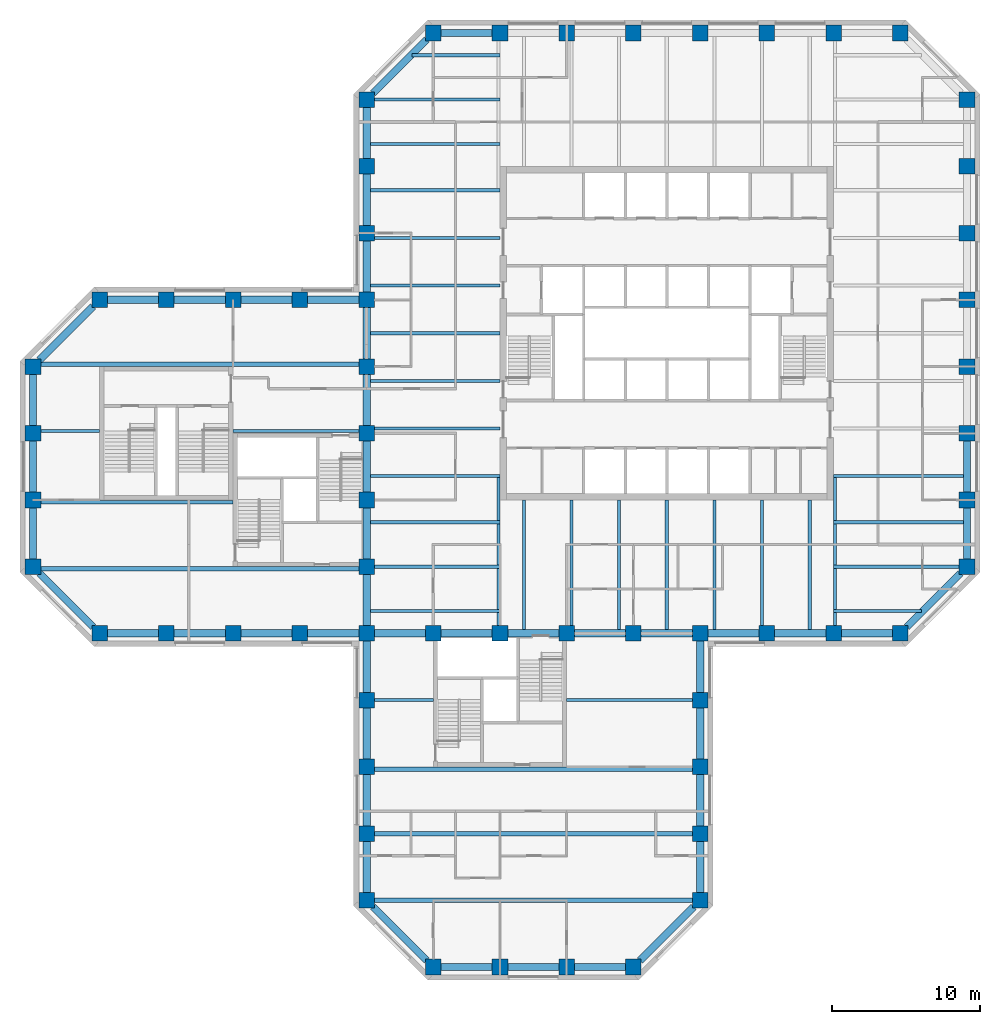
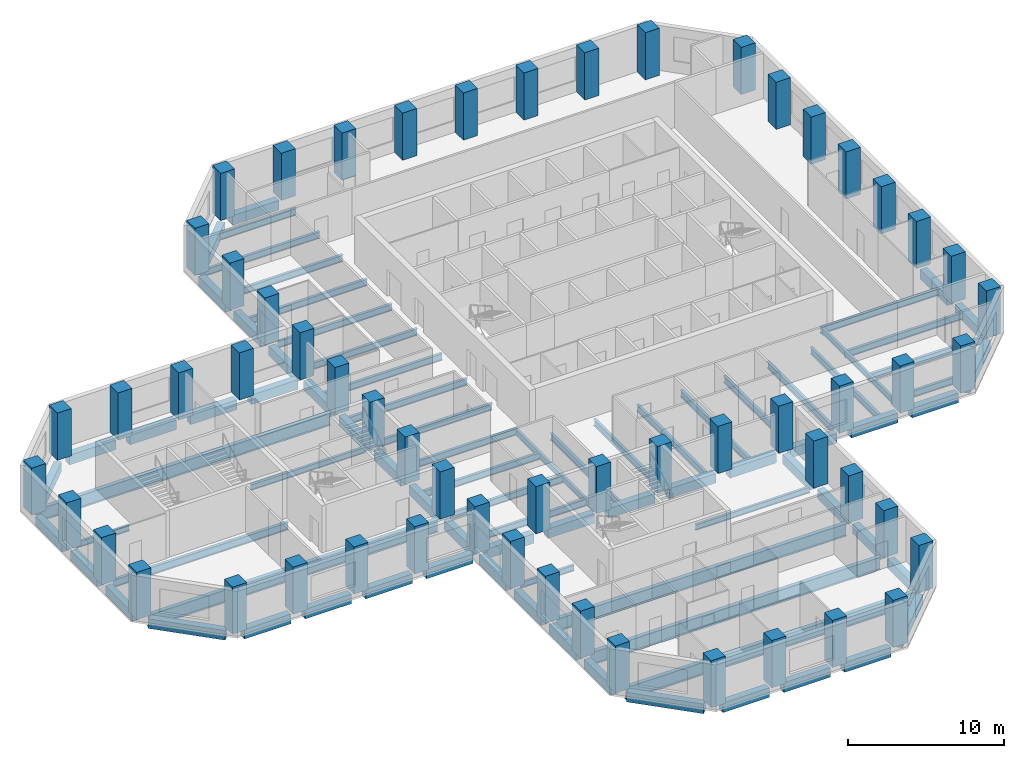
# One storey, part 1 of 10: 83 beams, 57 columns.
"""IFC4 building model written with IfcOpenShell, lengths in metres."""

from ifc_helpers import new_model, si_unit, direction, frame, origin, origin_2d, place, context, subcontext, project, spatial, rectangle, i_section, extrude, material, material_profile, profile_set, type_object, element, save


model = new_model("IFC4")

# Units and contexts
model_context = context("Model", 3, precision=1e-05, world=origin(), true_north=direction((0.0, 1.0)))
body_context = subcontext(model_context, "Body", "Model", "MODEL_VIEW")
ifc_project = project(units=[si_unit("LENGTHUNIT", "METRE"), si_unit("AREAUNIT", "SQUARE_METRE"), si_unit("VOLUMEUNIT", "CUBIC_METRE"), si_unit("PLANEANGLEUNIT", "RADIAN"), si_unit("MASSUNIT", "GRAM", prefix="KILO")], contexts=[model_context])

# Site, building, storey
site_placement = place(None, origin())
site = spatial("IfcSite", under=ifc_project, at=site_placement, CompositionType="ELEMENT")
building_placement = place(site_placement, origin())
building = spatial("IfcBuilding", under=site, at=building_placement, Name="Quoin Convention Tower", CompositionType="ELEMENT")
storey_placement = place(building_placement, frame((0.0, 0.0, 90.0)))
storey = spatial("IfcBuildingStorey", under=building, at=storey_placement, Name="L23", CompositionType="ELEMENT", Elevation=90.0)

# Columns
ifc_material_1 = material(Name="Concrete C65", Category="concrete")
ifc_material_profile_1 = material_profile(ifc_material_1, rectangle(XDim=1.050048828125, YDim=1.050048828125, at=origin_2d()), Name="RC 1050x1050")
ifc_profile_set_1 = profile_set([ifc_material_profile_1], Name="Concrete C65")
column_type = type_object("IfcColumnType", Name="RC 1050x1050 C65", PredefinedType="COLUMN", material=ifc_profile_set_1)
for number, where, z_axis, x_axis, name in (
    (1, (40.5, 18.0, 0.0), (0.0, 0.0, 1.0), (1.0, 0.0, 0.0), "col-L23-40500_18000"),
    (2, (45.0, 18.0, 0.0), (0.0, 0.0, 1.0), (1.0, 0.0, 0.0), "col-L23-45000_18000"),
    (3, (49.5, 18.0, 0.0), (0.0, 0.0, 1.0), (1.0, 0.0, 0.0), "col-L23-49500_18000"),
    (4, (54.0, 18.0, 0.0), (0.0, 0.0, 1.0), (1.0, 0.0, 0.0), "col-L23-54000_18000"),
    (5, (36.0, 22.5, 0.0), (0.0, 0.0, 1.0), (1.0, 0.0, 0.0), "col-L23-36000_22500"),
    (6, (58.5, 22.5, 0.0), (0.0, 0.0, 1.0), (1.0, 0.0, 0.0), "col-L23-58500_22500"),
    (7, (36.0, 27.0, 0.0), (0.0, 0.0, 1.0), (1.0, 0.0, 0.0), "col-L23-36000_27000"),
    (8, (58.5, 27.0, 0.0), (0.0, 0.0, 1.0), (1.0, 0.0, 0.0), "col-L23-58500_27000"),
    (9, (36.0, 31.5, 0.0), (0.0, 0.0, 1.0), (1.0, 0.0, 0.0), "col-L23-36000_31500"),
    (10, (58.5, 31.5, 0.0), (0.0, 0.0, 1.0), (1.0, 0.0, 0.0), "col-L23-58500_31500"),
    (11, (36.0, 36.0, 0.0), (0.0, 0.0, 1.0), (1.0, 0.0, 0.0), "col-L23-36000_36000"),
    (12, (58.5, 36.0, 0.0), (0.0, 0.0, 1.0), (1.0, 0.0, 0.0), "col-L23-58500_36000"),
    (13, (18.0, 40.5, 0.0), (0.0, 0.0, 1.0), (1.0, 0.0, 0.0), "col-L23-18000_40500"),
    (14, (22.5, 40.5, 0.0), (0.0, 0.0, 1.0), (1.0, 0.0, 0.0), "col-L23-22500_40500"),
    (15, (27.0, 40.5, 0.0), (0.0, 0.0, 1.0), (1.0, 0.0, 0.0), "col-L23-27000_40500"),
    (16, (31.5, 40.5, 0.0), (0.0, 0.0, 1.0), (1.0, 0.0, 0.0), "col-L23-31500_40500"),
    (17, (36.0, 40.5, 0.0), (0.0, 0.0, 1.0), (1.0, 0.0, 0.0), "col-L23-36000_40500"),
    (18, (40.5, 40.5, 0.0), (0.0, 0.0, 1.0), (1.0, 0.0, 0.0), "web-L23-40500_40500"),
    (19, (45.0, 40.5, 0.0), (0.0, 0.0, 1.0), (1.0, 0.0, 0.0), "web-L23-45000_40500"),
    (20, (49.5, 40.5, 0.0), (0.0, 0.0, 1.0), (1.0, 0.0, 0.0), "web-L23-49500_40500"),
    (21, (54.0, 40.5, 0.0), (0.0, 0.0, 1.0), (1.0, 0.0, 0.0), "web-L23-54000_40500"),
    (22, (58.5, 40.5, 0.0), (0.0, 0.0, 1.0), (1.0, 0.0, 0.0), "col-L23-58500_40500"),
    (23, (63.0, 40.5, 0.0), (0.0, 0.0, 1.0), (1.0, 0.0, 0.0), "col-L23-63000_40500"),
    (24, (67.5, 40.5, 0.0), (0.0, 0.0, 1.0), (1.0, 0.0, 0.0), "col-L23-67500_40500"),
    (25, (72.0, 40.5, 0.0), (0.0, 0.0, 1.0), (1.0, 0.0, 0.0), "col-L23-72000_40500"),
    (26, (13.5, 45.0, 0.0), (0.0, 0.0, 1.0), (1.0, 0.0, 0.0), "col-L23-13500_45000"),
    (27, (36.0, 45.0, 0.0), (0.0, 0.0, 1.0), (1.0, 0.0, 0.0), "web-L23-36000_45000"),
    (28, (76.5, 45.0, 0.0), (0.0, 0.0, 1.0), (1.0, 0.0, 0.0), "col-L23-76500_45000"),
    (29, (13.5, 49.5, 0.0), (0.0, 0.0, 1.0), (1.0, 0.0, 0.0), "col-L23-13500_49500"),
    (30, (36.0, 49.5, 0.0), (0.0, 0.0, 1.0), (1.0, 0.0, 0.0), "web-L23-36000_49500"),
    (31, (76.5, 49.5, 0.0), (0.0, 0.0, 1.0), (1.0, 0.0, 0.0), "col-L23-76500_49500"),
    (32, (13.5, 54.0, 0.0), (0.0, 0.0, 1.0), (1.0, 0.0, 0.0), "col-L23-13500_54000"),
    (33, (36.0, 54.0, 0.0), (0.0, 0.0, 1.0), (1.0, 0.0, 0.0), "web-L23-36000_54000"),
    (34, (76.5, 54.0, 0.0), (0.0, 0.0, 1.0), (1.0, 0.0, 0.0), "col-L23-76500_54000"),
    (35, (13.5, 58.5, 0.0), (0.0, 0.0, 1.0), (1.0, 0.0, 0.0), "col-L23-13500_58500"),
    (36, (36.0, 58.5, 0.0), (0.0, 0.0, 1.0), (1.0, 0.0, 0.0), "web-L23-36000_58500"),
    (37, (76.5, 58.5, 0.0), (0.0, 0.0, 1.0), (1.0, 0.0, 0.0), "col-L23-76500_58500"),
    (38, (18.0, 63.0, 0.0), (0.0, 0.0, 1.0), (1.0, 0.0, 0.0), "col-L23-18000_63000"),
    (39, (22.5, 63.0, 0.0), (0.0, 0.0, 1.0), (1.0, 0.0, 0.0), "col-L23-22500_63000"),
    (40, (27.0, 63.0, 0.0), (0.0, 0.0, 1.0), (1.0, 0.0, 0.0), "col-L23-27000_63000"),
    (41, (31.5, 63.0, 0.0), (0.0, 0.0, 1.0), (1.0, 0.0, 0.0), "col-L23-31500_63000"),
    (42, (36.0, 63.0, 0.0), (0.0, 0.0, 1.0), (1.0, 0.0, 0.0), "col-L23-36000_63000"),
    (43, (76.5, 63.0, 0.0), (0.0, 0.0, 1.0), (1.0, 0.0, 0.0), "col-L23-76500_63000"),
    (44, (36.0, 67.5, 0.0), (0.0, 0.0, 1.0), (1.0, 0.0, 0.0), "col-L23-36000_67500"),
    (45, (76.5, 67.5, 0.0), (0.0, 0.0, 1.0), (1.0, 0.0, 0.0), "col-L23-76500_67500"),
    (46, (36.0, 72.0, 0.0), (0.0, 0.0, 1.0), (1.0, 0.0, 0.0), "col-L23-36000_72000"),
    (47, (76.5, 72.0, 0.0), (0.0, 0.0, 1.0), (1.0, 0.0, 0.0), "col-L23-76500_72000"),
    (48, (36.0, 76.5, 0.0), (0.0, 0.0, 1.0), (1.0, 0.0, 0.0), "col-L23-36000_76500"),
    (49, (76.5, 76.5, 0.0), (0.0, 0.0, 1.0), (1.0, 0.0, 0.0), "col-L23-76500_76500"),
    (50, (40.5, 81.0, 0.0), (0.0, 0.0, 1.0), (1.0, 0.0, 0.0), "col-L23-40500_81000"),
    (51, (45.0, 81.0, 0.0), (0.0, 0.0, 1.0), (1.0, 0.0, 0.0), "col-L23-45000_81000"),
    (52, (49.5, 81.0, 0.0), (0.0, 0.0, 1.0), (1.0, 0.0, 0.0), "col-L23-49500_81000"),
    (53, (54.0, 81.0, 0.0), (0.0, 0.0, 1.0), (1.0, 0.0, 0.0), "col-L23-54000_81000"),
    (54, (58.5, 81.0, 0.0), (0.0, 0.0, 1.0), (1.0, 0.0, 0.0), "col-L23-58500_81000"),
    (55, (63.0, 81.0, 0.0), (0.0, 0.0, 1.0), (1.0, 0.0, 0.0), "col-L23-63000_81000"),
    (56, (67.5, 81.0, 0.0), (0.0, 0.0, 1.0), (1.0, 0.0, 0.0), "col-L23-67500_81000"),
    (57, (72.0, 81.0, 0.0), (0.0, 0.0, 1.0), (1.0, 0.0, 0.0), "col-L23-72000_81000"),
):
    element("IfcColumn", number, at=place(storey_placement, frame(where, z_axis=z_axis, x_axis=x_axis)), inside=storey, type_object=column_type, Name=name, PredefinedType="COLUMN", context=body_context, shape_type="SweptSolid", body=[
        extrude(rectangle(XDim=1.050048828125, YDim=1.050048828125, at=origin_2d()), origin(), (0.0, 0.0, 1.0), 3.699951171875),
    ])

# Beams
ifc_material_2 = material(Name="Steel Grade 300", Category="steel")
ifc_material_profile_2 = material_profile(ifc_material_2, i_section(OverallWidth=0.300048828125, OverallDepth=1.0, WebThickness=0.01611328125, FlangeThickness=0.02001953125, at=origin_2d()), Name="1000WB215")
ifc_profile_set_2 = profile_set([ifc_material_profile_2], Name="Steel Grade 300")
beam_type_1 = type_object("IfcBeamType", Name="1000WB215", PredefinedType="BEAM", material=ifc_profile_set_2)
for number, where, z_axis, x_axis, name in (
    (58, (36.52490234375, 22.5, -0.64990234375), (1.0, 0.0, 0.0), (0.0, 1.0, 0.0), "gir-L23-ST3-1-0"),
    (59, (36.52490234375, 27.0, -0.64990234375), (1.0, 0.0, 0.0), (0.0, 1.0, 0.0), "gir-L23-ST3-2-0"),
    (60, (36.52490234375, 31.35009765625, -0.64990234375), (1.0, 0.0, 0.0), (0.0, 1.0, 0.0), "gir-L23-ST3-3-0"),
    (61, (14.02490234375, 44.85009765625, -0.64990234375), (1.0, 0.0, 0.0), (0.0, 1.0, 0.0), "gir-L23-ST2-1-0"),
    (62, (14.02490234375, 58.64990234375, -0.64990234375), (1.0, 0.0, 0.0), (0.0, 1.0, 0.0), "gir-L23-ST2-4-0"),
):
    element("IfcBeam", number, at=place(storey_placement, frame(where, z_axis=z_axis, x_axis=x_axis)), inside=storey, type_object=beam_type_1, Name=name, PredefinedType="BEAM", context=body_context, shape_type="SweptSolid", body=[
        extrude(i_section(OverallWidth=0.300048828125, OverallDepth=1.0, WebThickness=0.01611328125, FlangeThickness=0.02001953125, at=origin_2d()), origin(), (0.0, 0.0, 1.0), 21.4501953125),
    ])
ifc_material_profile_3 = material_profile(ifc_material_2, i_section(OverallWidth=0.18994140625, OverallDepth=0.4541015625, WebThickness=0.008544921875, FlangeThickness=0.0126953125, FilletRadius=0.011474609375, at=origin_2d()), Name="460UB67.1")
ifc_profile_set_3 = profile_set([ifc_material_profile_3], Name="Steel Grade 300")
beam_type_2 = type_object("IfcBeamType", Name="460UB67.1", PredefinedType="BEAM", material=ifc_profile_set_3)
for number, where, z_axis, x_axis, name in (
    (63, (44.8955078125, 41.02490234375, -0.376953125), (0.0, 1.0, 0.0), (-1.0, 0.0, 0.0), "gir-L23-T1SW"),
    (64, (67.6044921875, 41.02490234375, -0.376953125), (0.0, 1.0, 0.0), (-1.0, 0.0, 0.0), "gir-L23-T1SE"),
):
    element("IfcBeam", number, at=place(storey_placement, frame(where, z_axis=z_axis, x_axis=x_axis)), inside=storey, type_object=beam_type_2, Name=name, PredefinedType="BEAM", context=body_context, shape_type="SweptSolid", body=[
        extrude(i_section(OverallWidth=0.18994140625, OverallDepth=0.4541015625, WebThickness=0.008544921875, FlangeThickness=0.0126953125, FilletRadius=0.011474609375, at=origin_2d()), origin(), (0.0, 0.0, 1.0), 9.977783203125),
    ])
beam_1_placement = place(storey_placement, frame((36.52490234375, 36.0, -0.376953125), z_axis=(1.0, 0.0, 0.0), x_axis=(0.0, 1.0, 0.0)))
element("IfcBeam", 65, at=beam_1_placement, inside=storey, type_object=beam_type_2, Name="gir-L23-ST3-4-0", PredefinedType="BEAM", context=body_context, shape_type="SweptSolid", body=[
    extrude(i_section(OverallWidth=0.18994140625, OverallDepth=0.4541015625, WebThickness=0.008544921875, FlangeThickness=0.0126953125, FilletRadius=0.011474609375, at=origin_2d()), origin(), (0.0, 0.0, 1.0), 3.97509765625),
])
beam_2_placement = place(storey_placement, frame((49.5, 36.0, -0.376953125), z_axis=(1.0, 0.0, 0.0), x_axis=(0.0, 1.0, 0.0)))
element("IfcBeam", 66, at=beam_2_placement, inside=storey, type_object=beam_type_2, Name="gir-L23-ST3-4-1", PredefinedType="BEAM", context=body_context, shape_type="SweptSolid", body=[
    extrude(i_section(OverallWidth=0.18994140625, OverallDepth=0.4541015625, WebThickness=0.008544921875, FlangeThickness=0.0126953125, FilletRadius=0.011474609375, at=origin_2d()), origin(), (0.0, 0.0, 1.0), 8.47509765625),
])
beam_3_placement = place(storey_placement, frame((14.02490234375, 54.14990234375, -0.376953125), z_axis=(1.0, 0.0, 0.0), x_axis=(0.0, 1.0, 0.0)))
element("IfcBeam", 67, at=beam_3_placement, inside=storey, type_object=beam_type_2, Name="gir-L23-ST2-3-0", PredefinedType="BEAM", context=body_context, shape_type="SweptSolid", body=[
    extrude(i_section(OverallWidth=0.18994140625, OverallDepth=0.4541015625, WebThickness=0.008544921875, FlangeThickness=0.0126953125, FilletRadius=0.011474609375, at=origin_2d()), origin(), (0.0, 0.0, 1.0), 3.97509765625),
])
beam_4_placement = place(storey_placement, frame((27.0, 54.14990234375, -0.376953125), z_axis=(1.0, 0.0, 0.0), x_axis=(0.0, 1.0, 0.0)))
element("IfcBeam", 68, at=beam_4_placement, inside=storey, type_object=beam_type_2, Name="gir-L23-ST2-3-1", PredefinedType="BEAM", context=body_context, shape_type="SweptSolid", body=[
    extrude(i_section(OverallWidth=0.18994140625, OverallDepth=0.4541015625, WebThickness=0.008544921875, FlangeThickness=0.0126953125, FilletRadius=0.011474609375, at=origin_2d()), origin(), (0.0, 0.0, 1.0), 8.47509765625),
])
ifc_material_profile_4 = material_profile(ifc_material_2, i_section(OverallWidth=0.208984375, OverallDepth=0.528076171875, WebThickness=0.009521484375, FlangeThickness=0.01318359375, FilletRadius=0.013916015625, at=origin_2d()), Name="530UB82.0")
ifc_profile_set_4 = profile_set([ifc_material_profile_4], Name="Steel Grade 300")
beam_type_3 = type_object("IfcBeamType", Name="530UB82.0", PredefinedType="BEAM", material=ifc_profile_set_4)
beam_5_placement = place(storey_placement, frame((36.25, 51.107177734375, -0.4140625), z_axis=(1.0, 0.0, 0.0), x_axis=(0.0, 1.0, 0.0)))
element("IfcBeam", 69, at=beam_5_placement, inside=storey, type_object=beam_type_3, Name="bm-L23-T1W0", PredefinedType="BEAM", context=body_context, shape_type="SweptSolid", body=[
    extrude(i_section(OverallWidth=0.208984375, OverallDepth=0.528076171875, WebThickness=0.009521484375, FlangeThickness=0.01318359375, FilletRadius=0.013916015625, at=origin_2d()), origin(), (0.0, 0.0, 1.0), 8.75),
])
beam_6_placement = place(storey_placement, frame((36.52490234375, 54.3212890625, -0.4140625), z_axis=(1.0, 0.0, 0.0), x_axis=(0.0, 1.0, 0.0)))
element("IfcBeam", 70, at=beam_6_placement, inside=storey, type_object=beam_type_3, Name="bm-L23-T1W1", PredefinedType="BEAM", context=body_context, shape_type="SweptSolid", body=[
    extrude(i_section(OverallWidth=0.208984375, OverallDepth=0.528076171875, WebThickness=0.009521484375, FlangeThickness=0.01318359375, FilletRadius=0.013916015625, at=origin_2d()), origin(), (0.0, 0.0, 1.0), 8.47509765625),
])
for number, where, z_axis, x_axis, name in (
    (71, (36.25, 57.53564453125, -0.4140625), (1.0, 0.0, 0.0), (0.0, 1.0, 0.0), "bm-L23-T1W2"),
    (72, (36.25, 60.75, -0.4140625), (1.0, 0.0, 0.0), (0.0, 1.0, 0.0), "bm-L23-T1W3"),
    (73, (36.25, 63.96435546875, -0.4140625), (1.0, 0.0, 0.0), (0.0, 1.0, 0.0), "bm-L23-T1W4"),
):
    element("IfcBeam", number, at=place(storey_placement, frame(where, z_axis=z_axis, x_axis=x_axis)), inside=storey, type_object=beam_type_3, Name=name, PredefinedType="BEAM", context=body_context, shape_type="SweptSolid", body=[
        extrude(i_section(OverallWidth=0.208984375, OverallDepth=0.528076171875, WebThickness=0.009521484375, FlangeThickness=0.01318359375, FilletRadius=0.013916015625, at=origin_2d()), origin(), (0.0, 0.0, 1.0), 8.75),
    ])
beam_7_placement = place(storey_placement, frame((36.52490234375, 67.1787109375, -0.4140625), z_axis=(1.0, 0.0, 0.0), x_axis=(0.0, 1.0, 0.0)))
element("IfcBeam", 74, at=beam_7_placement, inside=storey, type_object=beam_type_3, Name="bm-L23-T1W5", PredefinedType="BEAM", context=body_context, shape_type="SweptSolid", body=[
    extrude(i_section(OverallWidth=0.208984375, OverallDepth=0.528076171875, WebThickness=0.009521484375, FlangeThickness=0.01318359375, FilletRadius=0.013916015625, at=origin_2d()), origin(), (0.0, 0.0, 1.0), 8.47509765625),
])
for number, where, z_axis, x_axis, name in (
    (75, (36.25, 70.392822265625, -0.4140625), (1.0, 0.0, 0.0), (0.0, 1.0, 0.0), "bm-L23-T1W6"),
    (76, (67.5, 51.107177734375, -0.4140625), (1.0, 0.0, 0.0), (0.0, 1.0, 0.0), "bm-L23-T1E0"),
    (77, (46.607177734375, 40.75, -0.4140625), (0.0, 1.0, 0.0), (-1.0, 0.0, 0.0), "bm-L23-T1S0"),
):
    element("IfcBeam", number, at=place(storey_placement, frame(where, z_axis=z_axis, x_axis=x_axis)), inside=storey, type_object=beam_type_3, Name=name, PredefinedType="BEAM", context=body_context, shape_type="SweptSolid", body=[
        extrude(i_section(OverallWidth=0.208984375, OverallDepth=0.528076171875, WebThickness=0.009521484375, FlangeThickness=0.01318359375, FilletRadius=0.013916015625, at=origin_2d()), origin(), (0.0, 0.0, 1.0), 8.75),
    ])
beam_8_placement = place(storey_placement, frame((49.8212890625, 41.02490234375, -0.4140625), z_axis=(0.0, 1.0, 0.0), x_axis=(-1.0, 0.0, 0.0)))
element("IfcBeam", 78, at=beam_8_placement, inside=storey, type_object=beam_type_3, Name="bm-L23-T1S1", PredefinedType="BEAM", context=body_context, shape_type="SweptSolid", body=[
    extrude(i_section(OverallWidth=0.208984375, OverallDepth=0.528076171875, WebThickness=0.009521484375, FlangeThickness=0.01318359375, FilletRadius=0.013916015625, at=origin_2d()), origin(), (0.0, 0.0, 1.0), 8.47509765625),
])
for number, where, z_axis, x_axis, name in (
    (79, (53.03564453125, 40.75, -0.4140625), (0.0, 1.0, 0.0), (-1.0, 0.0, 0.0), "bm-L23-T1S2"),
    (80, (56.25, 40.75, -0.4140625), (0.0, 1.0, 0.0), (-1.0, 0.0, 0.0), "bm-L23-T1S3"),
    (81, (59.46435546875, 40.75, -0.4140625), (0.0, 1.0, 0.0), (-1.0, 0.0, 0.0), "bm-L23-T1S4"),
):
    element("IfcBeam", number, at=place(storey_placement, frame(where, z_axis=z_axis, x_axis=x_axis)), inside=storey, type_object=beam_type_3, Name=name, PredefinedType="BEAM", context=body_context, shape_type="SweptSolid", body=[
        extrude(i_section(OverallWidth=0.208984375, OverallDepth=0.528076171875, WebThickness=0.009521484375, FlangeThickness=0.01318359375, FilletRadius=0.013916015625, at=origin_2d()), origin(), (0.0, 0.0, 1.0), 8.75),
    ])
beam_9_placement = place(storey_placement, frame((62.6787109375, 41.02490234375, -0.4140625), z_axis=(0.0, 1.0, 0.0), x_axis=(-1.0, 0.0, 0.0)))
element("IfcBeam", 82, at=beam_9_placement, inside=storey, type_object=beam_type_3, Name="bm-L23-T1S5", PredefinedType="BEAM", context=body_context, shape_type="SweptSolid", body=[
    extrude(i_section(OverallWidth=0.208984375, OverallDepth=0.528076171875, WebThickness=0.009521484375, FlangeThickness=0.01318359375, FilletRadius=0.013916015625, at=origin_2d()), origin(), (0.0, 0.0, 1.0), 8.47509765625),
])
for number, where, z_axis, x_axis, name in (
    (83, (65.892822265625, 40.75, -0.4140625), (0.0, 1.0, 0.0), (-1.0, 0.0, 0.0), "bm-L23-T1S6"),
    (84, (36.25, 42.0, -0.4140625), (1.0, 0.0, 0.0), (0.0, 1.0, 0.0), "bm-L23-T1SW0"),
):
    element("IfcBeam", number, at=place(storey_placement, frame(where, z_axis=z_axis, x_axis=x_axis)), inside=storey, type_object=beam_type_3, Name=name, PredefinedType="BEAM", context=body_context, shape_type="SweptSolid", body=[
        extrude(i_section(OverallWidth=0.208984375, OverallDepth=0.528076171875, WebThickness=0.009521484375, FlangeThickness=0.01318359375, FilletRadius=0.013916015625, at=origin_2d()), origin(), (0.0, 0.0, 1.0), 8.75),
    ])
beam_10_placement = place(storey_placement, frame((36.52490234375, 45.0, -0.4140625), z_axis=(1.0, 0.0, 0.0), x_axis=(0.0, 1.0, 0.0)))
element("IfcBeam", 85, at=beam_10_placement, inside=storey, type_object=beam_type_3, Name="bm-L23-T1SW1", PredefinedType="BEAM", context=body_context, shape_type="SweptSolid", body=[
    extrude(i_section(OverallWidth=0.208984375, OverallDepth=0.528076171875, WebThickness=0.009521484375, FlangeThickness=0.01318359375, FilletRadius=0.013916015625, at=origin_2d()), origin(), (0.0, 0.0, 1.0), 8.47509765625),
])
beam_11_placement = place(storey_placement, frame((36.25, 48.0, -0.4140625), z_axis=(1.0, 0.0, 0.0), x_axis=(0.0, 1.0, 0.0)))
element("IfcBeam", 86, at=beam_11_placement, inside=storey, type_object=beam_type_3, Name="bm-L23-T1SW2", PredefinedType="BEAM", context=body_context, shape_type="SweptSolid", body=[
    extrude(i_section(OverallWidth=0.208984375, OverallDepth=0.528076171875, WebThickness=0.009521484375, FlangeThickness=0.01318359375, FilletRadius=0.013916015625, at=origin_2d()), origin(), (0.0, 0.0, 1.0), 8.75),
])
beam_12_placement = place(storey_placement, frame((67.5, 42.0, -0.4140625), z_axis=(1.0, 0.0, 0.0), x_axis=(0.0, 1.0, 0.0)))
element("IfcBeam", 87, at=beam_12_placement, inside=storey, type_object=beam_type_3, Name="bm-L23-T1SE0", PredefinedType="BEAM", context=body_context, shape_type="SweptSolid", body=[
    extrude(i_section(OverallWidth=0.208984375, OverallDepth=0.528076171875, WebThickness=0.009521484375, FlangeThickness=0.01318359375, FilletRadius=0.013916015625, at=origin_2d()), origin(), (0.0, 0.0, 1.0), 5.927734375),
])
beam_13_placement = place(storey_placement, frame((67.5, 45.0, -0.4140625), z_axis=(1.0, 0.0, 0.0), x_axis=(0.0, 1.0, 0.0)))
element("IfcBeam", 88, at=beam_13_placement, inside=storey, type_object=beam_type_3, Name="bm-L23-T1SE1", PredefinedType="BEAM", context=body_context, shape_type="SweptSolid", body=[
    extrude(i_section(OverallWidth=0.208984375, OverallDepth=0.528076171875, WebThickness=0.009521484375, FlangeThickness=0.01318359375, FilletRadius=0.013916015625, at=origin_2d()), origin(), (0.0, 0.0, 1.0), 8.47509765625),
])
beam_14_placement = place(storey_placement, frame((67.5, 48.0, -0.4140625), z_axis=(1.0, 0.0, 0.0), x_axis=(0.0, 1.0, 0.0)))
element("IfcBeam", 89, at=beam_14_placement, inside=storey, type_object=beam_type_3, Name="bm-L23-T1SE2", PredefinedType="BEAM", context=body_context, shape_type="SweptSolid", body=[
    extrude(i_section(OverallWidth=0.208984375, OverallDepth=0.528076171875, WebThickness=0.009521484375, FlangeThickness=0.01318359375, FilletRadius=0.013916015625, at=origin_2d()), origin(), (0.0, 0.0, 1.0), 8.75),
])
beam_15_placement = place(storey_placement, frame((39.072265625, 79.5, -0.4140625), z_axis=(1.0, 0.0, 0.0), x_axis=(0.0, 1.0, 0.0)))
element("IfcBeam", 90, at=beam_15_placement, inside=storey, type_object=beam_type_3, Name="bm-L23-T1NW0", PredefinedType="BEAM", context=body_context, shape_type="SweptSolid", body=[
    extrude(i_section(OverallWidth=0.208984375, OverallDepth=0.528076171875, WebThickness=0.009521484375, FlangeThickness=0.01318359375, FilletRadius=0.013916015625, at=origin_2d()), origin(), (0.0, 0.0, 1.0), 5.927734375),
])
beam_16_placement = place(storey_placement, frame((36.52490234375, 76.5, -0.4140625), z_axis=(1.0, 0.0, 0.0), x_axis=(0.0, 1.0, 0.0)))
element("IfcBeam", 91, at=beam_16_placement, inside=storey, type_object=beam_type_3, Name="bm-L23-T1NW1", PredefinedType="BEAM", context=body_context, shape_type="SweptSolid", body=[
    extrude(i_section(OverallWidth=0.208984375, OverallDepth=0.528076171875, WebThickness=0.009521484375, FlangeThickness=0.01318359375, FilletRadius=0.013916015625, at=origin_2d()), origin(), (0.0, 0.0, 1.0), 8.47509765625),
])
beam_17_placement = place(storey_placement, frame((36.25, 73.5, -0.4140625), z_axis=(1.0, 0.0, 0.0), x_axis=(0.0, 1.0, 0.0)))
element("IfcBeam", 92, at=beam_17_placement, inside=storey, type_object=beam_type_3, Name="bm-L23-T1NW2", PredefinedType="BEAM", context=body_context, shape_type="SweptSolid", body=[
    extrude(i_section(OverallWidth=0.208984375, OverallDepth=0.528076171875, WebThickness=0.009521484375, FlangeThickness=0.01318359375, FilletRadius=0.013916015625, at=origin_2d()), origin(), (0.0, 0.0, 1.0), 8.75),
])
ifc_material_profile_5 = material_profile(ifc_material_2, i_section(OverallWidth=0.22802734375, OverallDepth=0.60205078125, WebThickness=0.010498046875, FlangeThickness=0.014892578125, FilletRadius=0.013916015625, at=origin_2d()), Name="610UB101")
ifc_profile_set_5 = profile_set([ifc_material_profile_5], Name="Steel Grade 300")
beam_type_4 = type_object("IfcBeamType", Name="610UB101", PredefinedType="BEAM", material=ifc_profile_set_5)
beam_18_placement = place(storey_placement, frame((14.02490234375, 49.35009765625, -0.450927734375), z_axis=(1.0, 0.0, 0.0), x_axis=(0.0, 1.0, 0.0)))
element("IfcBeam", 93, at=beam_18_placement, inside=storey, type_object=beam_type_4, Name="gir-L23-ST2-2-0", PredefinedType="BEAM", context=body_context, shape_type="SweptSolid", body=[
    extrude(i_section(OverallWidth=0.22802734375, OverallDepth=0.60205078125, WebThickness=0.010498046875, FlangeThickness=0.014892578125, FilletRadius=0.013916015625, at=origin_2d()), origin(), (0.0, 0.0, 1.0), 12.97509765625),
])
ifc_material_profile_6 = material_profile(ifc_material_1, rectangle(XDim=0.5, YDim=0.75, at=origin_2d()), Name="RC 500x750")
ifc_profile_set_6 = profile_set([ifc_material_profile_6], Name="Concrete C65")
beam_type_5 = type_object("IfcBeamType", Name="RC 500x750 C65", PredefinedType="SPANDREL", material=ifc_profile_set_6)
for number, where, z_axis, x_axis, name in (
    (94, (59.02490234375, 40.5, -0.52490234375), (1.0, 0.0, 0.0), (0.0, 1.0, 0.0), "spd-L23-58500_40500-63000_40500"),
    (95, (63.52490234375, 40.5, -0.52490234375), (1.0, 0.0, 0.0), (0.0, 1.0, 0.0), "spd-L23-63000_40500-67500_40500"),
    (96, (68.02490234375, 40.5, -0.52490234375), (1.0, 0.0, 0.0), (0.0, 1.0, 0.0), "spd-L23-67500_40500-72000_40500"),
):
    element("IfcBeam", number, at=place(storey_placement, frame(where, z_axis=z_axis, x_axis=x_axis)), inside=storey, type_object=beam_type_5, Name=name, PredefinedType="SPANDREL", context=body_context, shape_type="SweptSolid", body=[
        extrude(rectangle(XDim=0.5, YDim=0.75, at=origin_2d()), origin(), (0.0, 0.0, 1.0), 3.4501953125),
    ])
beam_19_placement = place(storey_placement, frame((72.440185546875, 40.940185546875, -0.52490234375), z_axis=(0.707106781187, 0.707106781187, 0.0), x_axis=(-0.707106781187, 0.707106781187, 0.0)))
element("IfcBeam", 97, at=beam_19_placement, inside=storey, type_object=beam_type_5, Name="spd-L23-72000_40500-76500_45000", PredefinedType="SPANDREL", context=body_context, shape_type="SweptSolid", body=[
    extrude(rectangle(XDim=0.5, YDim=0.75, at=origin_2d()), origin(), (0.0, 0.0, 1.0), 5.118896484375),
])
for number, where, z_axis, x_axis, name in (
    (98, (76.5, 45.52490234375, -0.52490234375), (0.0, 1.0, 0.0), (-1.0, 0.0, 0.0), "spd-L23-76500_45000-76500_49500"),
    (99, (76.5, 50.02490234375, -0.52490234375), (0.0, 1.0, 0.0), (-1.0, 0.0, 0.0), "spd-L23-76500_49500-76500_54000"),
    (100, (44.47509765625, 81.0, -0.52490234375), (-1.0, 0.0, 0.0), (0.0, -1.0, 0.0), "spd-L23-45000_81000-40500_81000"),
):
    element("IfcBeam", number, at=place(storey_placement, frame(where, z_axis=z_axis, x_axis=x_axis)), inside=storey, type_object=beam_type_5, Name=name, PredefinedType="SPANDREL", context=body_context, shape_type="SweptSolid", body=[
        extrude(rectangle(XDim=0.5, YDim=0.75, at=origin_2d()), origin(), (0.0, 0.0, 1.0), 3.4501953125),
    ])
beam_20_placement = place(storey_placement, frame((40.059814453125, 80.559814453125, -0.52490234375), z_axis=(-0.707106781187, -0.707106781187, 0.0), x_axis=(0.707106781187, -0.707106781187, 0.0)))
element("IfcBeam", 101, at=beam_20_placement, inside=storey, type_object=beam_type_5, Name="spd-L23-40500_81000-36000_76500", PredefinedType="SPANDREL", context=body_context, shape_type="SweptSolid", body=[
    extrude(rectangle(XDim=0.5, YDim=0.75, at=origin_2d()), origin(), (0.0, 0.0, 1.0), 5.118896484375),
])
for number, where, z_axis, x_axis, name in (
    (102, (36.0, 75.97509765625, -0.52490234375), (0.0, -1.0, 0.0), (1.0, 0.0, 0.0), "spd-L23-36000_76500-36000_72000"),
    (103, (36.0, 71.47509765625, -0.52490234375), (0.0, -1.0, 0.0), (1.0, 0.0, 0.0), "spd-L23-36000_72000-36000_67500"),
    (104, (36.0, 66.97509765625, -0.52490234375), (0.0, -1.0, 0.0), (1.0, 0.0, 0.0), "spd-L23-36000_67500-36000_63000"),
    (105, (35.47509765625, 63.0, -0.52490234375), (-1.0, 0.0, 0.0), (0.0, -1.0, 0.0), "spd-L23-36000_63000-31500_63000"),
    (106, (30.97509765625, 63.0, -0.52490234375), (-1.0, 0.0, 0.0), (0.0, -1.0, 0.0), "spd-L23-31500_63000-27000_63000"),
    (107, (26.47509765625, 63.0, -0.52490234375), (-1.0, 0.0, 0.0), (0.0, -1.0, 0.0), "spd-L23-27000_63000-22500_63000"),
    (108, (21.97509765625, 63.0, -0.52490234375), (-1.0, 0.0, 0.0), (0.0, -1.0, 0.0), "spd-L23-22500_63000-18000_63000"),
):
    element("IfcBeam", number, at=place(storey_placement, frame(where, z_axis=z_axis, x_axis=x_axis)), inside=storey, type_object=beam_type_5, Name=name, PredefinedType="SPANDREL", context=body_context, shape_type="SweptSolid", body=[
        extrude(rectangle(XDim=0.5, YDim=0.75, at=origin_2d()), origin(), (0.0, 0.0, 1.0), 3.4501953125),
    ])
beam_21_placement = place(storey_placement, frame((17.559814453125, 62.559814453125, -0.52490234375), z_axis=(-0.707106781187, -0.707106781187, 0.0), x_axis=(0.707106781187, -0.707106781187, 0.0)))
element("IfcBeam", 109, at=beam_21_placement, inside=storey, type_object=beam_type_5, Name="spd-L23-18000_63000-13500_58500", PredefinedType="SPANDREL", context=body_context, shape_type="SweptSolid", body=[
    extrude(rectangle(XDim=0.5, YDim=0.75, at=origin_2d()), origin(), (0.0, 0.0, 1.0), 5.118896484375),
])
for number, where, z_axis, x_axis, name in (
    (110, (13.5, 57.97509765625, -0.52490234375), (0.0, -1.0, 0.0), (1.0, 0.0, 0.0), "spd-L23-13500_58500-13500_54000"),
    (111, (13.5, 53.47509765625, -0.52490234375), (0.0, -1.0, 0.0), (1.0, 0.0, 0.0), "spd-L23-13500_54000-13500_49500"),
    (112, (13.5, 48.97509765625, -0.52490234375), (0.0, -1.0, 0.0), (1.0, 0.0, 0.0), "spd-L23-13500_49500-13500_45000"),
):
    element("IfcBeam", number, at=place(storey_placement, frame(where, z_axis=z_axis, x_axis=x_axis)), inside=storey, type_object=beam_type_5, Name=name, PredefinedType="SPANDREL", context=body_context, shape_type="SweptSolid", body=[
        extrude(rectangle(XDim=0.5, YDim=0.75, at=origin_2d()), origin(), (0.0, 0.0, 1.0), 3.4501953125),
    ])
beam_22_placement = place(storey_placement, frame((13.940185546875, 44.559814453125, -0.52490234375), z_axis=(0.707106781187, -0.707106781187, 0.0), x_axis=(0.707106781187, 0.707106781187, 0.0)))
element("IfcBeam", 113, at=beam_22_placement, inside=storey, type_object=beam_type_5, Name="spd-L23-13500_45000-18000_40500", PredefinedType="SPANDREL", context=body_context, shape_type="SweptSolid", body=[
    extrude(rectangle(XDim=0.5, YDim=0.75, at=origin_2d()), origin(), (0.0, 0.0, 1.0), 5.118896484375),
])
for number, where, z_axis, x_axis, name in (
    (114, (18.52490234375, 40.5, -0.52490234375), (1.0, 0.0, 0.0), (0.0, 1.0, 0.0), "spd-L23-18000_40500-22500_40500"),
    (115, (23.02490234375, 40.5, -0.52490234375), (1.0, 0.0, 0.0), (0.0, 1.0, 0.0), "spd-L23-22500_40500-27000_40500"),
    (116, (27.52490234375, 40.5, -0.52490234375), (1.0, 0.0, 0.0), (0.0, 1.0, 0.0), "spd-L23-27000_40500-31500_40500"),
    (117, (32.02490234375, 40.5, -0.52490234375), (1.0, 0.0, 0.0), (0.0, 1.0, 0.0), "spd-L23-31500_40500-36000_40500"),
    (118, (36.0, 39.97509765625, -0.52490234375), (0.0, -1.0, 0.0), (1.0, 0.0, 0.0), "spd-L23-36000_40500-36000_36000"),
    (119, (36.0, 35.47509765625, -0.52490234375), (0.0, -1.0, 0.0), (1.0, 0.0, 0.0), "spd-L23-36000_36000-36000_31500"),
    (120, (36.0, 30.97509765625, -0.52490234375), (0.0, -1.0, 0.0), (1.0, 0.0, 0.0), "spd-L23-36000_31500-36000_27000"),
    (121, (36.0, 26.47509765625, -0.52490234375), (0.0, -1.0, 0.0), (1.0, 0.0, 0.0), "spd-L23-36000_27000-36000_22500"),
):
    element("IfcBeam", number, at=place(storey_placement, frame(where, z_axis=z_axis, x_axis=x_axis)), inside=storey, type_object=beam_type_5, Name=name, PredefinedType="SPANDREL", context=body_context, shape_type="SweptSolid", body=[
        extrude(rectangle(XDim=0.5, YDim=0.75, at=origin_2d()), origin(), (0.0, 0.0, 1.0), 3.4501953125),
    ])
beam_23_placement = place(storey_placement, frame((36.440185546875, 22.059814453125, -0.52490234375), z_axis=(0.707106781187, -0.707106781187, 0.0), x_axis=(0.707106781187, 0.707106781187, 0.0)))
element("IfcBeam", 122, at=beam_23_placement, inside=storey, type_object=beam_type_5, Name="spd-L23-36000_22500-40500_18000", PredefinedType="SPANDREL", context=body_context, shape_type="SweptSolid", body=[
    extrude(rectangle(XDim=0.5, YDim=0.75, at=origin_2d()), origin(), (0.0, 0.0, 1.0), 5.118896484375),
])
for number, where, z_axis, x_axis, name in (
    (123, (41.02490234375, 18.0, -0.52490234375), (1.0, 0.0, 0.0), (0.0, 1.0, 0.0), "spd-L23-40500_18000-45000_18000"),
    (124, (45.52490234375, 18.0, -0.52490234375), (1.0, 0.0, 0.0), (0.0, 1.0, 0.0), "spd-L23-45000_18000-49500_18000"),
    (125, (50.02490234375, 18.0, -0.52490234375), (1.0, 0.0, 0.0), (0.0, 1.0, 0.0), "spd-L23-49500_18000-54000_18000"),
):
    element("IfcBeam", number, at=place(storey_placement, frame(where, z_axis=z_axis, x_axis=x_axis)), inside=storey, type_object=beam_type_5, Name=name, PredefinedType="SPANDREL", context=body_context, shape_type="SweptSolid", body=[
        extrude(rectangle(XDim=0.5, YDim=0.75, at=origin_2d()), origin(), (0.0, 0.0, 1.0), 3.4501953125),
    ])
beam_24_placement = place(storey_placement, frame((54.440185546875, 18.440185546875, -0.52490234375), z_axis=(0.707106781187, 0.707106781187, 0.0), x_axis=(-0.707106781187, 0.707106781187, 0.0)))
element("IfcBeam", 126, at=beam_24_placement, inside=storey, type_object=beam_type_5, Name="spd-L23-54000_18000-58500_22500", PredefinedType="SPANDREL", context=body_context, shape_type="SweptSolid", body=[
    extrude(rectangle(XDim=0.5, YDim=0.75, at=origin_2d()), origin(), (0.0, 0.0, 1.0), 5.118896484375),
])
for number, where, z_axis, x_axis, name in (
    (127, (58.5, 23.02490234375, -0.52490234375), (0.0, 1.0, 0.0), (-1.0, 0.0, 0.0), "spd-L23-58500_22500-58500_27000"),
    (128, (58.5, 27.52490234375, -0.52490234375), (0.0, 1.0, 0.0), (-1.0, 0.0, 0.0), "spd-L23-58500_27000-58500_31500"),
    (129, (58.5, 32.02490234375, -0.52490234375), (0.0, 1.0, 0.0), (-1.0, 0.0, 0.0), "spd-L23-58500_31500-58500_36000"),
    (130, (58.5, 36.52490234375, -0.52490234375), (0.0, 1.0, 0.0), (-1.0, 0.0, 0.0), "spd-L23-58500_36000-58500_40500"),
    (131, (36.52490234375, 40.5, -0.52490234375), (1.0, 0.0, 0.0), (0.0, 1.0, 0.0), "spd-L23-36000_40500-40500_40500"),
    (132, (41.02490234375, 40.5, -0.52490234375), (1.0, 0.0, 0.0), (0.0, 1.0, 0.0), "spd-L23-40500_40500-45000_40500"),
    (133, (45.52490234375, 40.5, -0.52490234375), (1.0, 0.0, 0.0), (0.0, 1.0, 0.0), "spd-L23-45000_40500-49500_40500"),
    (134, (50.02490234375, 40.5, -0.52490234375), (1.0, 0.0, 0.0), (0.0, 1.0, 0.0), "spd-L23-49500_40500-54000_40500"),
    (135, (54.52490234375, 40.5, -0.52490234375), (1.0, 0.0, 0.0), (0.0, 1.0, 0.0), "spd-L23-54000_40500-58500_40500"),
    (136, (36.0, 41.02490234375, -0.52490234375), (0.0, 1.0, 0.0), (-1.0, 0.0, 0.0), "spd-L23-36000_40500-36000_45000"),
    (137, (36.0, 45.52490234375, -0.52490234375), (0.0, 1.0, 0.0), (-1.0, 0.0, 0.0), "spd-L23-36000_45000-36000_49500"),
    (138, (36.0, 50.02490234375, -0.52490234375), (0.0, 1.0, 0.0), (-1.0, 0.0, 0.0), "spd-L23-36000_49500-36000_54000"),
    (139, (36.0, 54.52490234375, -0.52490234375), (0.0, 1.0, 0.0), (-1.0, 0.0, 0.0), "spd-L23-36000_54000-36000_58500"),
    (140, (36.0, 59.02490234375, -0.52490234375), (0.0, 1.0, 0.0), (-1.0, 0.0, 0.0), "spd-L23-36000_58500-36000_63000"),
):
    element("IfcBeam", number, at=place(storey_placement, frame(where, z_axis=z_axis, x_axis=x_axis)), inside=storey, type_object=beam_type_5, Name=name, PredefinedType="SPANDREL", context=body_context, shape_type="SweptSolid", body=[
        extrude(rectangle(XDim=0.5, YDim=0.75, at=origin_2d()), origin(), (0.0, 0.0, 1.0), 3.4501953125),
    ])

save(model, "model.ifc")
